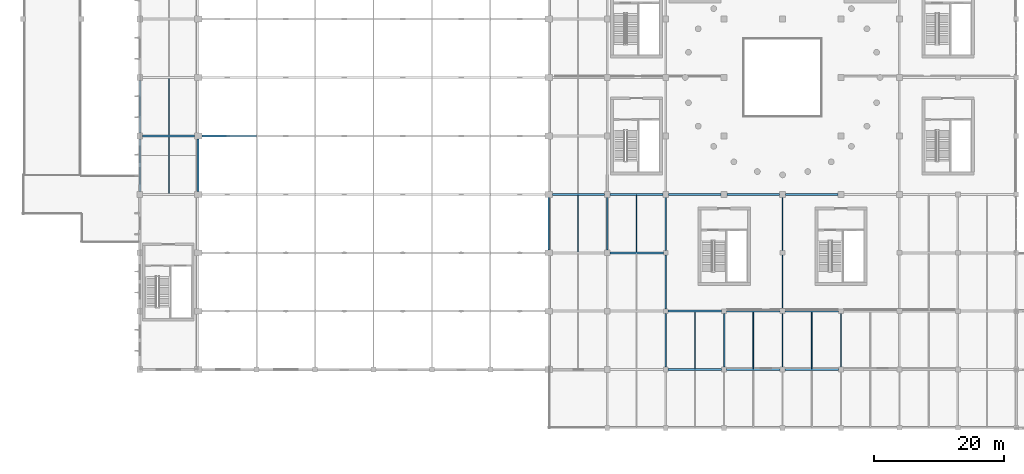
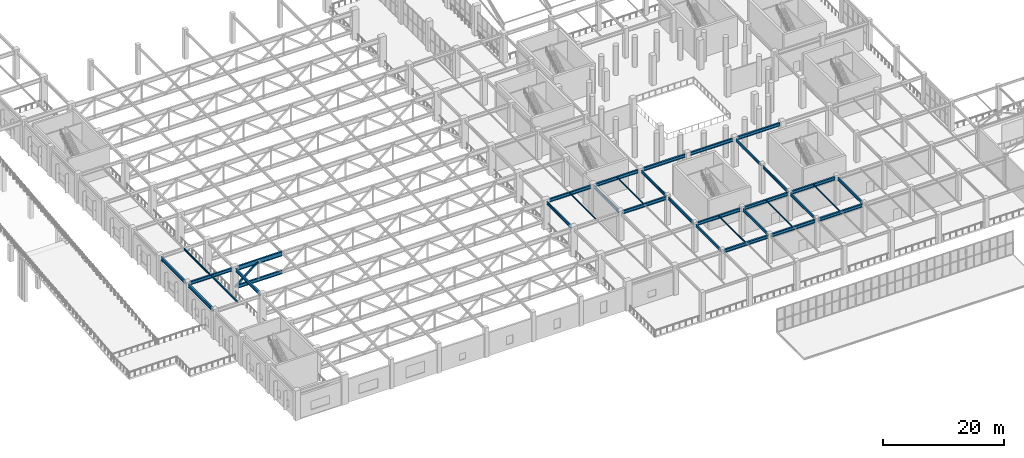
# One storey, part 15 of 223: 35 beams, 1 member.
"""IFC4 building model written with IfcOpenShell, lengths in metres."""

from ifc_helpers import new_model, si_unit, direction, frame, origin, origin_2d, place, context, subcontext, project, spatial, hollow_rectangle, i_section, extrude, material, material_profile, profile_set, type_object, element, save


model = new_model("IFC4")

# Units and contexts
model_context = context("Model", 3, precision=1e-05, world=origin(), true_north=direction((0.0, 1.0)))
body_context = subcontext(model_context, "Body", "Model", "MODEL_VIEW")
ifc_project = project(units=[si_unit("LENGTHUNIT", "METRE"), si_unit("AREAUNIT", "SQUARE_METRE"), si_unit("VOLUMEUNIT", "CUBIC_METRE"), si_unit("PLANEANGLEUNIT", "RADIAN"), si_unit("MASSUNIT", "GRAM", prefix="KILO")], contexts=[model_context])

# Site, building, storey
site_placement = place(None, origin())
site = spatial("IfcSite", under=ifc_project, at=site_placement, CompositionType="ELEMENT")
building_placement = place(site_placement, origin())
building = spatial("IfcBuilding", under=site, at=building_placement, Name="Dornveld Trade and Exhibition Forum", CompositionType="ELEMENT")
storey_placement = place(building_placement, frame((0.0, 0.0, 6.0)))
storey = spatial("IfcBuildingStorey", under=building, at=storey_placement, Name="L01", CompositionType="ELEMENT", Elevation=6.0)

# Beams
ifc_material_1 = material(Name="Steel S355J2", Category="steel")
ifc_material_profile_1 = material_profile(ifc_material_1, i_section(OverallWidth=0.300048828125, OverallDepth=0.64990234375, WebThickness=0.01611328125, FlangeThickness=0.031005859375, FilletRadius=0.027099609375, at=origin_2d()), Name="HEB 650")
ifc_profile_set_1 = profile_set([ifc_material_profile_1], Name="Steel S355J2")
beam_type_1 = type_object("IfcBeamType", Name="BM-GIR-HEB650", PredefinedType="USERDEFINED", material=ifc_profile_set_1)
beam_1_placement = place(storey_placement, frame((18.446044921875, 72.0, 5.324951171875), z_axis=(1.0, 0.0, 0.0), x_axis=(0.0, 1.0, 0.0)))
element("IfcBeam", 1, at=beam_1_placement, inside=storey, type_object=beam_type_1, Name="L01 X-girder 1119", ObjectType="GIRDER", PredefinedType="USERDEFINED", context=body_context, shape_type="SweptSolid", body=[
    extrude(i_section(OverallWidth=0.300048828125, OverallDepth=0.64990234375, WebThickness=0.01611328125, FlangeThickness=0.031005859375, FilletRadius=0.027099609375, at=origin_2d()), origin(), (0.0, 0.0, 1.0), 7.9580078125),
])
for number, where, z_axis, x_axis, name in (
    (2, (18.0, 63.446044921875, 5.324951171875), (0.0, 1.0, 0.0), (-1.0, 0.0, 0.0), "L01 Y-girder 1128"),
    (3, (18.0, 72.446044921875, 5.324951171875), (0.0, 1.0, 0.0), (-1.0, 0.0, 0.0), "L01 Y-girder 1129"),
    (4, (27.0, 63.446044921875, 5.31298828125), (0.0, 1.0, 0.0), (-1.0, 0.0, 0.0), "L01 Y-girder 1138"),
):
    element("IfcBeam", number, at=place(storey_placement, frame(where, z_axis=z_axis, x_axis=x_axis)), inside=storey, type_object=beam_type_1, Name=name, ObjectType="GIRDER", PredefinedType="USERDEFINED", context=body_context, shape_type="SweptSolid", body=[
        extrude(i_section(OverallWidth=0.300048828125, OverallDepth=0.64990234375, WebThickness=0.01611328125, FlangeThickness=0.031005859375, FilletRadius=0.027099609375, at=origin_2d()), origin(), (0.0, 0.0, 1.0), 8.10791015625),
    ])
for number, where, z_axis, x_axis, name in (
    (5, (99.37109375, 36.0, 5.31494140625), (1.0, 0.0, 0.0), (0.0, 1.0, 0.0), "L01 X-girder 1152"),
    (6, (108.37109375, 36.0, 5.31494140625), (1.0, 0.0, 0.0), (0.0, 1.0, 0.0), "L01 X-girder 1153"),
    (7, (117.37109375, 36.0, 5.31494140625), (1.0, 0.0, 0.0), (0.0, 1.0, 0.0), "L01 X-girder 1154"),
    (8, (99.37109375, 45.0, 5.31494140625), (1.0, 0.0, 0.0), (0.0, 1.0, 0.0), "L01 X-girder 1160"),
    (9, (108.37109375, 45.0, 5.31494140625), (1.0, 0.0, 0.0), (0.0, 1.0, 0.0), "L01 X-girder 1161"),
    (10, (117.37109375, 45.0, 5.31494140625), (1.0, 0.0, 0.0), (0.0, 1.0, 0.0), "L01 X-girder 1162"),
):
    element("IfcBeam", number, at=place(storey_placement, frame(where, z_axis=z_axis, x_axis=x_axis)), inside=storey, type_object=beam_type_1, Name=name, ObjectType="GIRDER", PredefinedType="USERDEFINED", context=body_context, shape_type="SweptSolid", body=[
        extrude(i_section(OverallWidth=0.300048828125, OverallDepth=0.64990234375, WebThickness=0.01611328125, FlangeThickness=0.031005859375, FilletRadius=0.027099609375, at=origin_2d()), origin(), (0.0, 0.0, 1.0), 8.2578125),
    ])
beam_2_placement = place(storey_placement, frame((90.446044921875, 54.0, 5.31494140625), z_axis=(1.0, 0.0, 0.0), x_axis=(0.0, 1.0, 0.0)))
element("IfcBeam", 11, at=beam_2_placement, inside=storey, type_object=beam_type_1, Name="L01 X-girder 1167", ObjectType="GIRDER", PredefinedType="USERDEFINED", context=body_context, shape_type="SweptSolid", body=[
    extrude(i_section(OverallWidth=0.300048828125, OverallDepth=0.64990234375, WebThickness=0.01611328125, FlangeThickness=0.031005859375, FilletRadius=0.027099609375, at=origin_2d()), origin(), (0.0, 0.0, 1.0), 8.182861328125),
])
beam_3_placement = place(storey_placement, frame((81.595947265625, 63.0, 5.31494140625), z_axis=(1.0, 0.0, 0.0), x_axis=(0.0, 1.0, 0.0)))
element("IfcBeam", 12, at=beam_3_placement, inside=storey, type_object=beam_type_1, Name="L01 X-girder 1170", ObjectType="GIRDER", PredefinedType="USERDEFINED", context=body_context, shape_type="SweptSolid", body=[
    extrude(i_section(OverallWidth=0.300048828125, OverallDepth=0.64990234375, WebThickness=0.01611328125, FlangeThickness=0.031005859375, FilletRadius=0.027099609375, at=origin_2d()), origin(), (0.0, 0.0, 1.0), 7.9580078125),
])
for number, where, z_axis, x_axis, name in (
    (13, (90.446044921875, 63.0, 5.31494140625), (1.0, 0.0, 0.0), (0.0, 1.0, 0.0), "L01 X-girder 1171"),
    (14, (99.446044921875, 63.0, 5.31494140625), (1.0, 0.0, 0.0), (0.0, 1.0, 0.0), "L01 X-girder 1172"),
    (15, (108.446044921875, 63.0, 5.31494140625), (1.0, 0.0, 0.0), (0.0, 1.0, 0.0), "L01 X-girder 1173"),
    (16, (117.446044921875, 63.0, 5.31494140625), (1.0, 0.0, 0.0), (0.0, 1.0, 0.0), "L01 X-girder 1174"),
):
    element("IfcBeam", number, at=place(storey_placement, frame(where, z_axis=z_axis, x_axis=x_axis)), inside=storey, type_object=beam_type_1, Name=name, ObjectType="GIRDER", PredefinedType="USERDEFINED", context=body_context, shape_type="SweptSolid", body=[
        extrude(i_section(OverallWidth=0.300048828125, OverallDepth=0.64990234375, WebThickness=0.01611328125, FlangeThickness=0.031005859375, FilletRadius=0.027099609375, at=origin_2d()), origin(), (0.0, 0.0, 1.0), 8.10791015625),
    ])
ifc_material_2 = material(Name="Steel S355J2", Category="steel")
ifc_material_profile_2 = material_profile(ifc_material_2, i_section(OverallWidth=0.1201171875, OverallDepth=0.239990234375, WebThickness=0.006103515625, FlangeThickness=0.009765625, FilletRadius=0.014892578125, at=origin_2d()), Name="IPE 240")
ifc_profile_set_2 = profile_set([ifc_material_profile_2], Name="Steel S355J2")
beam_type_2 = type_object("IfcBeamType", Name="BM-JOIST-240", PredefinedType="JOIST", material=ifc_profile_set_2)
for number, where, z_axis, x_axis, name in (
    (17, (85.5, 54.14697265625, 5.52001953125), (0.0, 1.0, 0.0), (-1.0, 0.0, 0.0), "L01 secondary joist 1252"),
    (18, (94.5, 54.14697265625, 5.52001953125), (0.0, 1.0, 0.0), (-1.0, 0.0, 0.0), "L01 secondary joist 1260"),
    (19, (103.5, 36.14697265625, 5.52001953125), (0.0, 1.0, 0.0), (-1.0, 0.0, 0.0), "L01 secondary joist 1262"),
    (20, (112.5, 36.14697265625, 5.52001953125), (0.0, 1.0, 0.0), (-1.0, 0.0, 0.0), "L01 secondary joist 1263"),
    (21, (121.5, 36.14697265625, 5.52001953125), (0.0, 1.0, 0.0), (-1.0, 0.0, 0.0), "L01 secondary joist 1265"),
):
    element("IfcBeam", number, at=place(storey_placement, frame(where, z_axis=z_axis, x_axis=x_axis)), inside=storey, type_object=beam_type_2, Name=name, PredefinedType="JOIST", context=body_context, shape_type="SweptSolid", body=[
        extrude(i_section(OverallWidth=0.1201171875, OverallDepth=0.239990234375, WebThickness=0.006103515625, FlangeThickness=0.009765625, FilletRadius=0.014892578125, at=origin_2d()), origin(), (0.0, 0.0, 1.0), 8.7060546875),
    ])
ifc_material_3 = material(Name="Steel S355J2", Category="steel")
ifc_material_profile_3 = material_profile(ifc_material_3, i_section(OverallWidth=0.169921875, OverallDepth=0.360107421875, WebThickness=0.008056640625, FlangeThickness=0.0126953125, FilletRadius=0.01806640625, at=origin_2d()), Name="IPE 360")
ifc_profile_set_3 = profile_set([ifc_material_profile_3], Name="Steel S355J2")
beam_type_3 = type_object("IfcBeamType", Name="BM-JOIST-360", PredefinedType="JOIST", material=ifc_profile_set_3)
for number, where, z_axis, x_axis, name in (
    (22, (22.5, 63.14697265625, 5.469970703125), (0.0, 1.0, 0.0), (-1.0, 0.0, 0.0), "L01 secondary joist 1145"),
    (23, (22.5, 72.14697265625, 5.469970703125), (0.0, 1.0, 0.0), (-1.0, 0.0, 0.0), "L01 secondary joist 1146"),
):
    element("IfcBeam", number, at=place(storey_placement, frame(where, z_axis=z_axis, x_axis=x_axis)), inside=storey, type_object=beam_type_3, Name=name, PredefinedType="JOIST", context=body_context, shape_type="SweptSolid", body=[
        extrude(i_section(OverallWidth=0.169921875, OverallDepth=0.360107421875, WebThickness=0.008056640625, FlangeThickness=0.0126953125, FilletRadius=0.01806640625, at=origin_2d()), origin(), (0.0, 0.0, 1.0), 8.7060546875),
    ])
ifc_material_4 = material(Name="Steel S355J2", Category="steel")
ifc_material_profile_4 = material_profile(ifc_material_4, i_section(OverallWidth=0.2099609375, OverallDepth=0.550048828125, WebThickness=0.010986328125, FlangeThickness=0.01708984375, FilletRadius=0.02392578125, at=origin_2d()), Name="IPE 550")
ifc_profile_set_4 = profile_set([ifc_material_profile_4], Name="Steel S355J2")
beam_type_4 = type_object("IfcBeamType", Name="BM-SEC-550", PredefinedType="BEAM", material=ifc_profile_set_4)
for number, where, z_axis, x_axis, name in (
    (24, (81.0, 54.446044921875, 5.364990234375), (0.0, 1.0, 0.0), (-1.0, 0.0, 0.0), "L01 Y-girder 1200"),
    (25, (90.0, 54.446044921875, 5.364990234375), (0.0, 1.0, 0.0), (-1.0, 0.0, 0.0), "L01 Y-girder 1208"),
):
    element("IfcBeam", number, at=place(storey_placement, frame(where, z_axis=z_axis, x_axis=x_axis)), inside=storey, type_object=beam_type_4, Name=name, PredefinedType="BEAM", context=body_context, shape_type="SweptSolid", body=[
        extrude(i_section(OverallWidth=0.2099609375, OverallDepth=0.550048828125, WebThickness=0.010986328125, FlangeThickness=0.01708984375, FilletRadius=0.02392578125, at=origin_2d()), origin(), (0.0, 0.0, 1.0), 8.10791015625),
    ])
for number, where, z_axis, x_axis, name in (
    (26, (99.0, 36.37109375, 5.364990234375), (0.0, 1.0, 0.0), (-1.0, 0.0, 0.0), "L01 Y-girder 1214"),
    (27, (99.0, 45.37109375, 5.364990234375), (0.0, 1.0, 0.0), (-1.0, 0.0, 0.0), "L01 Y-girder 1215"),
):
    element("IfcBeam", number, at=place(storey_placement, frame(where, z_axis=z_axis, x_axis=x_axis)), inside=storey, type_object=beam_type_4, Name=name, PredefinedType="BEAM", context=body_context, shape_type="SweptSolid", body=[
        extrude(i_section(OverallWidth=0.2099609375, OverallDepth=0.550048828125, WebThickness=0.010986328125, FlangeThickness=0.01708984375, FilletRadius=0.02392578125, at=origin_2d()), origin(), (0.0, 0.0, 1.0), 8.2578125),
    ])
beam_4_placement = place(storey_placement, frame((99.0, 54.37109375, 5.364990234375), z_axis=(0.0, 1.0, 0.0), x_axis=(-1.0, 0.0, 0.0)))
element("IfcBeam", 28, at=beam_4_placement, inside=storey, type_object=beam_type_4, Name="L01 Y-girder 1216", PredefinedType="BEAM", context=body_context, shape_type="SweptSolid", body=[
    extrude(i_section(OverallWidth=0.2099609375, OverallDepth=0.550048828125, WebThickness=0.010986328125, FlangeThickness=0.01708984375, FilletRadius=0.02392578125, at=origin_2d()), origin(), (0.0, 0.0, 1.0), 8.182861328125),
])
for number, where, z_axis, x_axis, name in (
    (29, (108.0, 36.37109375, 5.364990234375), (0.0, 1.0, 0.0), (-1.0, 0.0, 0.0), "L01 Y-girder 1222"),
    (30, (117.0, 36.37109375, 5.364990234375), (0.0, 1.0, 0.0), (-1.0, 0.0, 0.0), "L01 Y-girder 1224"),
    (31, (117.0, 45.37109375, 5.364990234375), (0.0, 1.0, 0.0), (-1.0, 0.0, 0.0), "L01 Y-girder 1225"),
):
    element("IfcBeam", number, at=place(storey_placement, frame(where, z_axis=z_axis, x_axis=x_axis)), inside=storey, type_object=beam_type_4, Name=name, PredefinedType="BEAM", context=body_context, shape_type="SweptSolid", body=[
        extrude(i_section(OverallWidth=0.2099609375, OverallDepth=0.550048828125, WebThickness=0.010986328125, FlangeThickness=0.01708984375, FilletRadius=0.02392578125, at=origin_2d()), origin(), (0.0, 0.0, 1.0), 8.2578125),
    ])
beam_5_placement = place(storey_placement, frame((117.0, 54.37109375, 5.364990234375), z_axis=(0.0, 1.0, 0.0), x_axis=(-1.0, 0.0, 0.0)))
element("IfcBeam", 32, at=beam_5_placement, inside=storey, type_object=beam_type_4, Name="L01 Y-girder 1226", PredefinedType="BEAM", context=body_context, shape_type="SweptSolid", body=[
    extrude(i_section(OverallWidth=0.2099609375, OverallDepth=0.550048828125, WebThickness=0.010986328125, FlangeThickness=0.01708984375, FilletRadius=0.02392578125, at=origin_2d()), origin(), (0.0, 0.0, 1.0), 8.182861328125),
])
beam_6_placement = place(storey_placement, frame((126.0, 36.37109375, 5.364990234375), z_axis=(0.0, 1.0, 0.0), x_axis=(-1.0, 0.0, 0.0)))
element("IfcBeam", 33, at=beam_6_placement, inside=storey, type_object=beam_type_4, Name="L01 Y-girder 1228", PredefinedType="BEAM", context=body_context, shape_type="SweptSolid", body=[
    extrude(i_section(OverallWidth=0.2099609375, OverallDepth=0.550048828125, WebThickness=0.010986328125, FlangeThickness=0.01708984375, FilletRadius=0.02392578125, at=origin_2d()), origin(), (0.0, 0.0, 1.0), 8.2578125),
])
ifc_material_5 = material(Name="Steel S355J2", Category="steel")
ifc_material_profile_5 = material_profile(ifc_material_5, i_section(OverallWidth=0.303955078125, OverallDepth=0.716064453125, WebThickness=0.02099609375, FlangeThickness=0.0400390625, FilletRadius=0.027099609375, at=origin_2d()), Name="HEM 700")
ifc_profile_set_5 = profile_set([ifc_material_profile_5], Name="Steel S355J2")
beam_type_5 = type_object("IfcBeamType", Name="BM-TG-BOT700", PredefinedType="USERDEFINED", material=ifc_profile_set_5)
beam_7_placement = place(storey_placement, frame((27.595947265625, 72.0, 1.5), z_axis=(1.0, 0.0, 0.0), x_axis=(0.0, 1.0, 0.0)))
element("IfcBeam", 34, at=beam_7_placement, inside=storey, type_object=beam_type_5, Name="Hall 3 transfer truss 4 bottom chord 1", ObjectType="GIRDER", PredefinedType="USERDEFINED", context=body_context, shape_type="SweptSolid", body=[
    extrude(i_section(OverallWidth=0.303955078125, OverallDepth=0.716064453125, WebThickness=0.02099609375, FlangeThickness=0.0400390625, FilletRadius=0.027099609375, at=origin_2d()), origin(), (0.0, 0.0, 1.0), 8.404052734375),
])
ifc_material_6 = material(Name="Steel S355J2", Category="steel")
ifc_material_profile_6 = material_profile(ifc_material_6, i_section(OverallWidth=0.302001953125, OverallDepth=0.909912109375, WebThickness=0.02099609375, FlangeThickness=0.0400390625, FilletRadius=0.030029296875, at=origin_2d()), Name="HEM 900")
ifc_profile_set_6 = profile_set([ifc_material_profile_6], Name="Steel S355J2")
beam_type_6 = type_object("IfcBeamType", Name="BM-TG-TOP900", PredefinedType="USERDEFINED", material=ifc_profile_set_6)
beam_8_placement = place(storey_placement, frame((27.595947265625, 72.0, 5.18505859375), z_axis=(1.0, 0.0, 0.0), x_axis=(0.0, 1.0, 0.0)))
element("IfcBeam", 35, at=beam_8_placement, inside=storey, type_object=beam_type_6, Name="Hall 3 transfer truss 4 top chord 1", ObjectType="GIRDER", PredefinedType="USERDEFINED", context=body_context, shape_type="SweptSolid", body=[
    extrude(i_section(OverallWidth=0.302001953125, OverallDepth=0.909912109375, WebThickness=0.02099609375, FlangeThickness=0.0400390625, FilletRadius=0.030029296875, at=origin_2d()), origin(), (0.0, 0.0, 1.0), 8.404052734375),
])

# Member
ifc_material_7 = material(Name="Steel S355J2", Category="steel")
ifc_material_profile_7 = material_profile(ifc_material_7, hollow_rectangle(XDim=0.300048828125, YDim=0.300048828125, WallThickness=0.01611328125, at=origin_2d()), Name="SHS 300x300x16")
ifc_profile_set_7 = profile_set([ifc_material_profile_7], Name="Steel S355J2")
member_type = type_object("IfcMemberType", Name="MEM-XFER-WEB", PredefinedType="BRACE", material=ifc_profile_set_7)
member_placement = place(storey_placement, frame((27.0, 72.0, 1.5), z_axis=(0.773684181611, 0.0, 0.633571453843), x_axis=(0.0, 1.0, 0.0)))
element("IfcMember", 36, at=member_placement, inside=storey, type_object=member_type, Name="Transfer truss 4 web 55", PredefinedType="BRACE", context=body_context, shape_type="SweptSolid", body=[
    extrude(hollow_rectangle(XDim=0.300048828125, YDim=0.300048828125, WallThickness=0.01611328125, at=origin_2d()), origin(), (0.0, 0.0, 1.0), 5.81640625),
])

save(model, "model.ifc")
